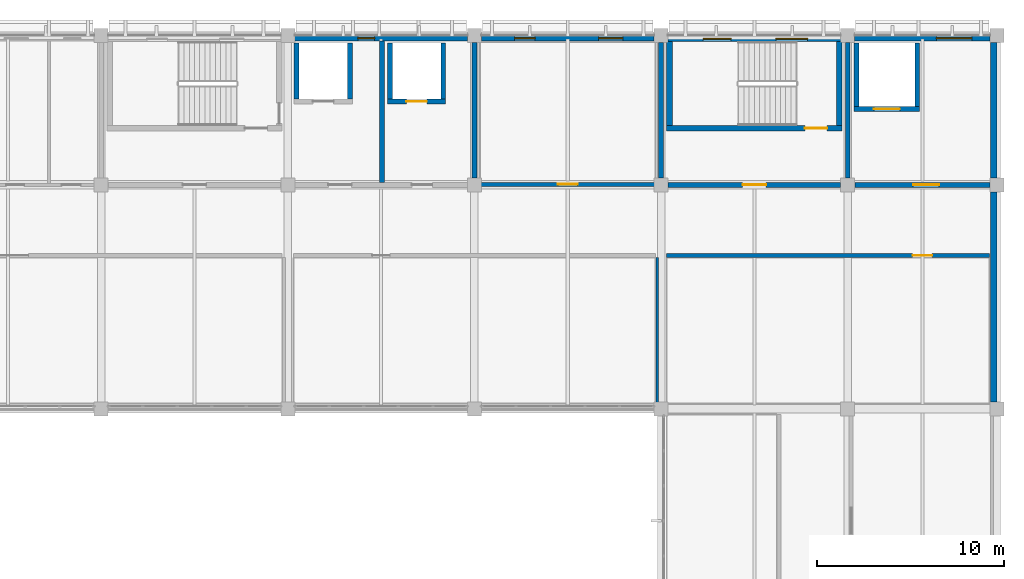
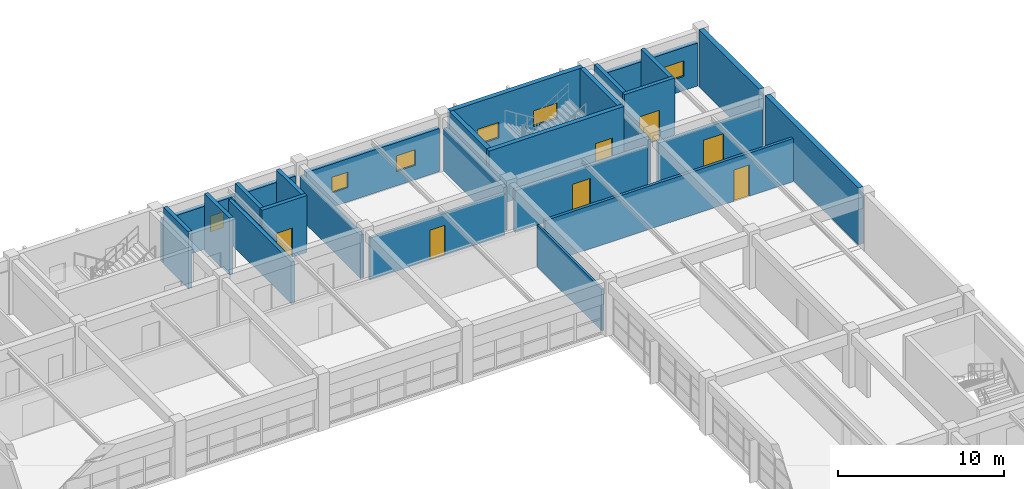
# One storey, part 73 of 83: 26 walls, 7 doors, 6 windows, 13 openings.
"""IFC4 building model written with IfcOpenShell, lengths in metres."""

from ifc_helpers import new_model, si_unit, direction, frame, frame_2d, origin, place, context, subcontext, project, spatial, rectangle, extrude, material, layer, layer_set, type_object, element, fill, save


model = new_model("IFC4")

# Units and contexts
model_context = context("Model", 3, precision=1e-05, world=origin(), true_north=direction((0.0, 1.0)))
body_context = subcontext(model_context, "Body", "Model", "MODEL_VIEW")
ifc_project = project(units=[si_unit("LENGTHUNIT", "METRE"), si_unit("AREAUNIT", "SQUARE_METRE"), si_unit("VOLUMEUNIT", "CUBIC_METRE"), si_unit("PLANEANGLEUNIT", "RADIAN"), si_unit("MASSUNIT", "GRAM", prefix="KILO")], contexts=[model_context])

# Site, building, storey
site_placement = place(None, origin())
site = spatial("IfcSite", under=ifc_project, at=site_placement, CompositionType="ELEMENT")
building_placement = place(site_placement, origin())
building = spatial("IfcBuilding", under=site, at=building_placement, Name="Kivolera Central Railway Station", CompositionType="ELEMENT")
storey_placement = place(building_placement, frame((0.0, 0.0, 14.39990234375)))
storey = spatial("IfcBuildingStorey", under=building, at=storey_placement, Name="L03", CompositionType="ELEMENT", Elevation=14.39990234375)

# Wall, opening, door
ifc_material_1 = material(Name="Swahili coral limestone", Category="masonry")
ifc_layer_1 = layer(ifc_material_1, 0.199951171875, Name="Swahili coral limestone")
ifc_layer_set_1 = layer_set([ifc_layer_1], Name="Swahili coral limestone")
wall_type_1 = type_object("IfcWallType", Name="WL-COR-200", PredefinedType="PARTITIONING", material=ifc_layer_set_1)
wall_1_placement = place(storey_placement, frame((168.300048828125, 126.030029296875, 0.0), z_axis=(0.0, 0.0, 1.0), x_axis=(1.0, 0.0, 0.0)))
wall_1 = element("IfcWall", 1, at=wall_1_placement, inside=storey, type_object=wall_type_1, Name="L03 Railway Directorate Boardroom Office Corridor Wall", PredefinedType="PARTITIONING", context=body_context, shape_type="SweptSolid", body=[
    extrude(rectangle(XDim=9.39990234375, YDim=0.199951171875, at=frame_2d((4.699951171875, 0.0))), origin(), (0.0, 0.0, 1.0), 3.078125),
])
opening_1_placement = place(wall_1_placement, frame((4.175048828125, 0.0, 0.0)))
opening_1 = element("IfcOpeningElement", 2, at=opening_1_placement, cuts=wall_1, Name="Opening D-SG-10", PredefinedType="OPENING", context=body_context, shape_type="SweptSolid", body=[
    extrude(rectangle(XDim=1.050048828125, YDim=2.199951171875, at=frame_2d((0.52490234375, 1.10009765625))), frame((0.0, 0.10986328125, 0.0), z_axis=(0.0, -1.0, 0.0), x_axis=(1.0, 0.0, 0.0)), (0.0, 0.0, 1.0), 0.219970703125),
])
ifc_material_2 = material(Name="Hardwood mvule timber", Category="wood")
door_type_1 = type_object("IfcDoorType", Name="DR-D-SG-10", OperationType="NOTDEFINED", PredefinedType="DOOR", material=ifc_material_2)
door_1_placement = place(opening_1_placement, origin())
door_1 = element("IfcDoor", 3, at=door_1_placement, inside=storey, type_object=door_type_1, Name="L03 Railway Directorate Boardroom Office Door", OperationType="SINGLE_SWING_LEFT", OverallHeight=2.199951171875, OverallWidth=1.050048828125, PredefinedType="DOOR", context=body_context, shape_type="SweptSolid", body=[
    extrude(rectangle(XDim=1.050048828125, YDim=2.199951171875, at=frame_2d((0.52490234375, 1.10009765625))), frame((0.0, 0.02490234375, 0.0), z_axis=(0.0, -1.0, 0.0), x_axis=(1.0, 0.0, 0.0)), (0.0, 0.0, 1.0), 0.050048828125),
])
fill(opening_1, door_1)

wall_2_placement = place(storey_placement, frame((178.300048828125, 122.219970703125, 0.0), z_axis=(0.0, 0.0, 1.0), x_axis=(1.0, 0.0, 0.0)))
wall_2 = element("IfcWall", 4, at=wall_2_placement, inside=storey, type_object=wall_type_1, Name="L03 Finance and Procurement Office Corridor Wall", PredefinedType="PARTITIONING", context=body_context, shape_type="SweptSolid", body=[
    extrude(rectangle(XDim=17.300048828125, YDim=0.199951171875, at=frame_2d((8.64990234375, 0.0))), origin(), (0.0, 0.0, 1.0), 3.177978515625),
])
opening_2_placement = place(wall_2_placement, frame((13.175048828125, 0.0, 0.0)))
opening_2 = element("IfcOpeningElement", 5, at=opening_2_placement, cuts=wall_2, Name="Opening D-SG-14", PredefinedType="OPENING", context=body_context, shape_type="SweptSolid", body=[
    extrude(rectangle(XDim=1.050048828125, YDim=2.300048828125, at=frame_2d((0.52490234375, 1.14990234375))), frame((0.0, 0.10986328125, 0.0), z_axis=(0.0, -1.0, 0.0), x_axis=(1.0, 0.0, 0.0)), (0.0, 0.0, 1.0), 0.219970703125),
])
door_type_2 = type_object("IfcDoorType", Name="DR-D-SG-14", OperationType="NOTDEFINED", PredefinedType="DOOR", material=ifc_material_2)
door_2_placement = place(opening_2_placement, origin())
door_2 = element("IfcDoor", 6, at=door_2_placement, inside=storey, type_object=door_type_2, Name="L03 Finance and Procurement Office Door", OperationType="SINGLE_SWING_LEFT", OverallHeight=2.300048828125, OverallWidth=1.050048828125, PredefinedType="DOOR", context=body_context, shape_type="SweptSolid", body=[
    extrude(rectangle(XDim=1.050048828125, YDim=2.300048828125, at=frame_2d((0.52490234375, 1.14990234375))), frame((0.0, 0.02490234375, 0.0), z_axis=(0.0, -1.0, 0.0), x_axis=(1.0, 0.0, 0.0)), (0.0, 0.0, 1.0), 0.050048828125),
])
fill(opening_2, door_2)

ifc_material_3 = material(Name="Concrete C40/50", Category="concrete")
ifc_layer_2 = layer(ifc_material_3, 0.300048828125, Name="Concrete C40/50")
ifc_layer_set_2 = layer_set([ifc_layer_2], Name="Concrete C40/50")
wall_type_2 = type_object("IfcWallType", Name="WL-CORE-300", PredefinedType="SHEAR", material=ifc_layer_set_2)
wall_3_placement = place(storey_placement, frame((187.699951171875, 129.030029296875, 0.0), z_axis=(0.0, 0.0, 1.0), x_axis=(-1.0, 0.0, 0.0)))
wall_3 = element("IfcWall", 7, at=wall_3_placement, inside=storey, type_object=wall_type_2, Name="L03 ST3 Core Right Shear Wall", PredefinedType="SHEAR", context=body_context, shape_type="SweptSolid", body=[
    extrude(rectangle(XDim=9.39990234375, YDim=0.300048828125, at=frame_2d((4.699951171875, 0.0))), origin(), (0.0, 0.0, 1.0), 4.2001953125),
])
opening_3_placement = place(wall_3_placement, frame((0.800048828125, 0.0, 0.0)))
opening_3 = element("IfcOpeningElement", 8, at=opening_3_placement, cuts=wall_3, Name="Opening D-STAIR-1200", PredefinedType="OPENING", context=body_context, shape_type="SweptSolid", body=[
    extrude(rectangle(XDim=1.199951171875, YDim=2.14990234375, at=frame_2d((0.60009765625, 1.074951171875))), frame((0.0, 0.159912109375, 0.0), z_axis=(0.0, -1.0, 0.0), x_axis=(1.0, 0.0, 0.0)), (0.0, 0.0, 1.0), 0.320068359375),
])
door_type_3 = type_object("IfcDoorType", Name="DR-D-STAIR-1200", OperationType="NOTDEFINED", PredefinedType="DOOR", material=ifc_material_2)
door_3_placement = place(opening_3_placement, origin())
door_3 = element("IfcDoor", 9, at=door_3_placement, inside=storey, type_object=door_type_3, Name="L03 ST3 Vestibule Fire Door", OperationType="SINGLE_SWING_RIGHT", OverallHeight=2.14990234375, OverallWidth=1.199951171875, PredefinedType="DOOR", context=body_context, shape_type="SweptSolid", body=[
    extrude(rectangle(XDim=1.199951171875, YDim=2.14990234375, at=frame_2d((0.60009765625, 1.074951171875))), frame((0.0, 0.02490234375, 0.0), z_axis=(0.0, -1.0, 0.0), x_axis=(1.0, 0.0, 0.0)), (0.0, 0.0, 1.0), 0.050048828125),
])
fill(opening_3, door_3)

# Walls
for number, where, z_axis, x_axis, name in (
    (10, (187.550048828125, 133.679931640625, 0.0), (0.0, 0.0, 1.0), (0.0, -1.0, 0.0), "L03 ST3 Core Near Shear Wall"),
    (11, (178.449951171875, 129.179931640625, 0.0), (0.0, 0.0, 1.0), (0.0, 1.0, 0.0), "L03 ST3 Core Far Shear Wall"),
):
    element("IfcWall", number, at=place(storey_placement, frame(where, z_axis=z_axis, x_axis=x_axis)), inside=storey, type_object=wall_type_2, Name=name, PredefinedType="SHEAR", context=body_context, shape_type="SweptSolid", body=[
        extrude(rectangle(XDim=4.5, YDim=0.300048828125, at=frame_2d((2.25, 0.0))), origin(), (0.0, 0.0, 1.0), 4.2001953125),
    ])

# Wall, openings, windows
ifc_layer_3 = layer(ifc_material_3, 0.320068359375, Name="Concrete C40/50")
ifc_layer_set_3 = layer_set([ifc_layer_3], Name="Concrete C40/50")
wall_type_3 = type_object("IfcWallType", Name="WL-CORE-EXT-320", PredefinedType="SHEAR", material=ifc_layer_set_3)
wall_4_placement = place(storey_placement, frame((178.3701171875, 133.840087890625, 0.0), z_axis=(0.0, 0.0, 1.0), x_axis=(1.0, 0.0, 0.0)))
wall_4 = element("IfcWall", 12, at=wall_4_placement, inside=storey, type_object=wall_type_3, Name="L03 North Street Facade Wall Bay 7", PredefinedType="SHEAR", context=body_context, shape_type="SweptSolid", body=[
    extrude(rectangle(XDim=9.259765625, YDim=0.320068359375, at=frame_2d((4.6298828125, 0.0))), origin(), (0.0, 0.0, 1.0), 4.2001953125),
])
opening_4_placement = place(wall_4_placement, frame((1.8798828125, 0.0, 1.050048828125)))
opening_4 = element("IfcOpeningElement", 13, at=opening_4_placement, cuts=wall_4, Name="Opening WN-04", PredefinedType="OPENING", context=body_context, shape_type="SweptSolid", body=[
    extrude(rectangle(XDim=1.5, YDim=1.14990234375, at=frame_2d((0.75, 0.574951171875))), frame((0.0, 0.169921875, 0.0), z_axis=(0.0, -1.0, 0.0), x_axis=(1.0, 0.0, 0.0)), (0.0, 0.0, 1.0), 0.340087890625),
])
opening_5_placement = place(wall_4_placement, frame((5.780029296875, 0.0, 1.050048828125)))
opening_5 = element("IfcOpeningElement", 14, at=opening_5_placement, cuts=wall_4, Name="Opening WN-05", PredefinedType="OPENING", context=body_context, shape_type="SweptSolid", body=[
    extrude(rectangle(XDim=1.699951171875, YDim=1.14990234375, at=frame_2d((0.85009765625, 0.574951171875))), frame((0.0, 0.169921875, 0.0), z_axis=(0.0, -1.0, 0.0), x_axis=(1.0, 0.0, 0.0)), (0.0, 0.0, 1.0), 0.340087890625),
])
ifc_material_4 = material(Name="Double low-E laminated glass", Category="glass")
window_type_1 = type_object("IfcWindowType", Name="WIN-WN-04", PartitioningType="SINGLE_PANEL", PredefinedType="WINDOW", material=ifc_material_4)
window_1_placement = place(opening_4_placement, origin())
window_1 = element("IfcWindow", 15, at=window_1_placement, inside=storey, type_object=window_type_1, Name="L03 North Street Window Bay 7.1", OverallHeight=1.14990234375, OverallWidth=1.5, PartitioningType="SINGLE_PANEL", PredefinedType="WINDOW", context=body_context, shape_type="SweptSolid", body=[
    extrude(rectangle(XDim=1.5, YDim=1.14990234375, at=frame_2d((0.75, 0.574951171875))), frame((0.0, 0.030029296875, 0.0), z_axis=(0.0, -1.0, 0.0), x_axis=(1.0, 0.0, 0.0)), (0.0, 0.0, 1.0), 0.06005859375),
])
fill(opening_4, window_1)
window_type_2 = type_object("IfcWindowType", Name="WIN-WN-05", PartitioningType="SINGLE_PANEL", PredefinedType="WINDOW", material=ifc_material_4)
window_2_placement = place(opening_5_placement, origin())
window_2 = element("IfcWindow", 16, at=window_2_placement, inside=storey, type_object=window_type_2, Name="L03 North Street Window Bay 7.2", OverallHeight=1.14990234375, OverallWidth=1.699951171875, PartitioningType="SINGLE_PANEL", PredefinedType="WINDOW", context=body_context, shape_type="SweptSolid", body=[
    extrude(rectangle(XDim=1.699951171875, YDim=1.14990234375, at=frame_2d((0.85009765625, 0.574951171875))), frame((0.0, 0.030029296875, 0.0), z_axis=(0.0, -1.0, 0.0), x_axis=(1.0, 0.0, 0.0)), (0.0, 0.0, 1.0), 0.06005859375),
])
fill(opening_5, window_2)

# Wall, opening, window
ifc_layer_4 = layer(ifc_material_1, 0.2900390625, Name="Swahili coral limestone")
ifc_layer_set_4 = layer_set([ifc_layer_4], Name="Swahili coral limestone")
wall_type_4 = type_object("IfcWallType", Name="WL-EXT-CORAL-290", PredefinedType="SOLIDWALL", material=ifc_layer_set_4)
wall_5_placement = place(storey_placement, frame((158.3701171875, 133.85498046875, 0.0), z_axis=(0.0, 0.0, 1.0), x_axis=(1.0, 0.0, 0.0)))
wall_5 = element("IfcWall", 17, at=wall_5_placement, inside=storey, type_object=wall_type_4, Name="L03 North Street Facade Wall Bay 5", PredefinedType="SOLIDWALL", context=body_context, shape_type="SweptSolid", body=[
    extrude(rectangle(XDim=9.259765625, YDim=0.2900390625, at=frame_2d((4.6298828125, 0.0))), origin(), (0.0, 0.0, 1.0), 3.177978515625),
])
opening_6_placement = place(wall_5_placement, frame((3.3798828125, 0.0, 1.050048828125)))
opening_6 = element("IfcOpeningElement", 18, at=opening_6_placement, cuts=wall_5, Name="Opening WN-01", PredefinedType="OPENING", context=body_context, shape_type="SweptSolid", body=[
    extrude(rectangle(XDim=0.89990234375, YDim=1.14990234375, at=frame_2d((0.449951171875, 0.574951171875))), frame((0.0, 0.155029296875, 0.0), z_axis=(0.0, -1.0, 0.0), x_axis=(1.0, 0.0, 0.0)), (0.0, 0.0, 1.0), 0.31005859375),
])
window_type_3 = type_object("IfcWindowType", Name="WIN-WN-01", PartitioningType="SINGLE_PANEL", PredefinedType="WINDOW", material=ifc_material_4)
window_3_placement = place(opening_6_placement, origin())
window_3 = element("IfcWindow", 19, at=window_3_placement, inside=storey, type_object=window_type_3, Name="L03 North Street Window Bay 5.1", OverallHeight=1.14990234375, OverallWidth=0.89990234375, PartitioningType="SINGLE_PANEL", PredefinedType="WINDOW", context=body_context, shape_type="SweptSolid", body=[
    extrude(rectangle(XDim=0.89990234375, YDim=1.14990234375, at=frame_2d((0.449951171875, 0.574951171875))), frame((0.0, 0.030029296875, 0.0), z_axis=(0.0, -1.0, 0.0), x_axis=(1.0, 0.0, 0.0)), (0.0, 0.0, 1.0), 0.06005859375),
])
fill(opening_6, window_3)

# Wall, openings, windows
wall_6_placement = place(storey_placement, frame((168.3701171875, 133.85498046875, 0.0), z_axis=(0.0, 0.0, 1.0), x_axis=(1.0, 0.0, 0.0)))
wall_6 = element("IfcWall", 20, at=wall_6_placement, inside=storey, type_object=wall_type_4, Name="L03 North Street Facade Wall Bay 6", PredefinedType="SOLIDWALL", context=body_context, shape_type="SweptSolid", body=[
    extrude(rectangle(XDim=9.259765625, YDim=0.2900390625, at=frame_2d((4.6298828125, 0.0))), origin(), (0.0, 0.0, 1.0), 3.177978515625),
])
opening_7_placement = place(wall_6_placement, frame((1.780029296875, 0.0, 1.050048828125)))
opening_7 = element("IfcOpeningElement", 21, at=opening_7_placement, cuts=wall_6, Name="Opening WN-02", PredefinedType="OPENING", context=body_context, shape_type="SweptSolid", body=[
    extrude(rectangle(XDim=1.10009765625, YDim=1.14990234375, at=frame_2d((0.550048828125, 0.574951171875))), frame((0.0, 0.155029296875, 0.0), z_axis=(0.0, -1.0, 0.0), x_axis=(1.0, 0.0, 0.0)), (0.0, 0.0, 1.0), 0.31005859375),
])
opening_8_placement = place(wall_6_placement, frame((6.280029296875, 0.0, 1.050048828125)))
opening_8 = element("IfcOpeningElement", 22, at=opening_8_placement, cuts=wall_6, Name="Opening WN-03", PredefinedType="OPENING", context=body_context, shape_type="SweptSolid", body=[
    extrude(rectangle(XDim=1.300048828125, YDim=1.14990234375, at=frame_2d((0.64990234375, 0.574951171875))), frame((0.0, 0.155029296875, 0.0), z_axis=(0.0, -1.0, 0.0), x_axis=(1.0, 0.0, 0.0)), (0.0, 0.0, 1.0), 0.31005859375),
])
window_type_4 = type_object("IfcWindowType", Name="WIN-WN-02", PartitioningType="SINGLE_PANEL", PredefinedType="WINDOW", material=ifc_material_4)
window_4_placement = place(opening_7_placement, origin())
window_4 = element("IfcWindow", 23, at=window_4_placement, inside=storey, type_object=window_type_4, Name="L03 North Street Window Bay 6.1", OverallHeight=1.14990234375, OverallWidth=1.10009765625, PartitioningType="SINGLE_PANEL", PredefinedType="WINDOW", context=body_context, shape_type="SweptSolid", body=[
    extrude(rectangle(XDim=1.10009765625, YDim=1.14990234375, at=frame_2d((0.550048828125, 0.574951171875))), frame((0.0, 0.030029296875, 0.0), z_axis=(0.0, -1.0, 0.0), x_axis=(1.0, 0.0, 0.0)), (0.0, 0.0, 1.0), 0.06005859375),
])
fill(opening_7, window_4)
window_type_5 = type_object("IfcWindowType", Name="WIN-WN-03", PartitioningType="SINGLE_PANEL", PredefinedType="WINDOW", material=ifc_material_4)
window_5_placement = place(opening_8_placement, origin())
window_5 = element("IfcWindow", 24, at=window_5_placement, inside=storey, type_object=window_type_5, Name="L03 North Street Window Bay 6.2", OverallHeight=1.14990234375, OverallWidth=1.300048828125, PartitioningType="SINGLE_PANEL", PredefinedType="WINDOW", context=body_context, shape_type="SweptSolid", body=[
    extrude(rectangle(XDim=1.300048828125, YDim=1.14990234375, at=frame_2d((0.64990234375, 0.574951171875))), frame((0.0, 0.030029296875, 0.0), z_axis=(0.0, -1.0, 0.0), x_axis=(1.0, 0.0, 0.0)), (0.0, 0.0, 1.0), 0.06005859375),
])
fill(opening_8, window_5)

# Wall, opening, window
wall_7_placement = place(storey_placement, frame((188.3701171875, 133.85498046875, 0.0), z_axis=(0.0, 0.0, 1.0), x_axis=(1.0, 0.0, 0.0)))
wall_7 = element("IfcWall", 25, at=wall_7_placement, inside=storey, type_object=wall_type_4, Name="L03 North Street Facade Wall Bay 8", PredefinedType="SOLIDWALL", context=body_context, shape_type="SweptSolid", body=[
    extrude(rectangle(XDim=7.259765625, YDim=0.2900390625, at=frame_2d((3.6298828125, 0.0))), origin(), (0.0, 0.0, 1.0), 3.177978515625),
])
opening_9_placement = place(wall_7_placement, frame((4.3798828125, 0.0, 1.050048828125)))
opening_9 = element("IfcOpeningElement", 26, at=opening_9_placement, cuts=wall_7, Name="Opening WN-06", PredefinedType="OPENING", context=body_context, shape_type="SweptSolid", body=[
    extrude(rectangle(XDim=1.89990234375, YDim=1.14990234375, at=frame_2d((0.949951171875, 0.574951171875))), frame((0.0, 0.155029296875, 0.0), z_axis=(0.0, -1.0, 0.0), x_axis=(1.0, 0.0, 0.0)), (0.0, 0.0, 1.0), 0.31005859375),
])
window_type_6 = type_object("IfcWindowType", Name="WIN-WN-06", PartitioningType="SINGLE_PANEL", PredefinedType="WINDOW", material=ifc_material_4)
window_6_placement = place(opening_9_placement, origin())
window_6 = element("IfcWindow", 27, at=window_6_placement, inside=storey, type_object=window_type_6, Name="L03 North Street Window Bay 8.1", OverallHeight=1.14990234375, OverallWidth=1.89990234375, PartitioningType="SINGLE_PANEL", PredefinedType="WINDOW", context=body_context, shape_type="SweptSolid", body=[
    extrude(rectangle(XDim=1.89990234375, YDim=1.14990234375, at=frame_2d((0.949951171875, 0.574951171875))), frame((0.0, 0.030029296875, 0.0), z_axis=(0.0, -1.0, 0.0), x_axis=(1.0, 0.0, 0.0)), (0.0, 0.0, 1.0), 0.06005859375),
])
fill(opening_9, window_6)

# Wall, opening, door
ifc_layer_5 = layer(ifc_material_3, 0.25, Name="Concrete C40/50")
ifc_layer_set_5 = layer_set([ifc_layer_5], Name="Concrete C40/50")
wall_type_5 = type_object("IfcWallType", Name="WL-FFL-250", PredefinedType="PARTITIONING", material=ifc_layer_set_5)
wall_8_placement = place(storey_placement, frame((178.3798828125, 126.0, 0.0), z_axis=(0.0, 0.0, 1.0), x_axis=(1.0, 0.0, 0.0)))
wall_8 = element("IfcWall", 28, at=wall_8_placement, inside=storey, type_object=wall_type_5, Name="L03 North Core Corridor Wall 178", PredefinedType="PARTITIONING", context=body_context, shape_type="SweptSolid", body=[
    extrude(rectangle(XDim=9.240234375, YDim=0.25, at=frame_2d((4.6201171875, 0.0))), origin(), (0.0, 0.0, 1.0), 3.078125),
])
opening_10_placement = place(wall_8_placement, frame((3.9951171875, 0.0, 0.0)))
opening_10 = element("IfcOpeningElement", 29, at=opening_10_placement, cuts=wall_8, Name="Opening D-FFL-1250", PredefinedType="OPENING", context=body_context, shape_type="SweptSolid", body=[
    extrude(rectangle(XDim=1.25, YDim=2.14990234375, at=frame_2d((0.625, 1.074951171875))), frame((0.0, 0.135009765625, 0.0), z_axis=(0.0, -1.0, 0.0), x_axis=(1.0, 0.0, 0.0)), (0.0, 0.0, 1.0), 0.27001953125),
])
door_type_4 = type_object("IfcDoorType", Name="DR-D-FFL-1250", OperationType="NOTDEFINED", PredefinedType="DOOR", material=ifc_material_2)
door_4_placement = place(opening_10_placement, origin())
door_4 = element("IfcDoor", 30, at=door_4_placement, inside=storey, type_object=door_type_4, Name="L03 ST3 Vestibule Corridor Door", OperationType="SINGLE_SWING_LEFT", OverallHeight=2.14990234375, OverallWidth=1.25, PredefinedType="DOOR", context=body_context, shape_type="SweptSolid", body=[
    extrude(rectangle(XDim=1.25, YDim=2.14990234375, at=frame_2d((0.625, 1.074951171875))), frame((0.0, 0.02490234375, 0.0), z_axis=(0.0, -1.0, 0.0), x_axis=(1.0, 0.0, 0.0)), (0.0, 0.0, 1.0), 0.050048828125),
])
fill(opening_10, door_4)

wall_9_placement = place(storey_placement, frame((188.3798828125, 126.0, 0.0), z_axis=(0.0, 0.0, 1.0), x_axis=(1.0, 0.0, 0.0)))
wall_9 = element("IfcWall", 31, at=wall_9_placement, inside=storey, type_object=wall_type_5, Name="L03 North Core Corridor Wall 188", PredefinedType="PARTITIONING", context=body_context, shape_type="SweptSolid", body=[
    extrude(rectangle(XDim=7.240234375, YDim=0.25, at=frame_2d((3.6201171875, 0.0))), origin(), (0.0, 0.0, 1.0), 3.078125),
])
opening_11_placement = place(wall_9_placement, frame((3.1201171875, 0.0, 0.0)))
opening_11 = element("IfcOpeningElement", 32, at=opening_11_placement, cuts=wall_9, Name="Opening D-PLT-1400", PredefinedType="OPENING", context=body_context, shape_type="SweptSolid", body=[
    extrude(rectangle(XDim=1.39990234375, YDim=2.199951171875, at=frame_2d((0.699951171875, 1.10009765625))), frame((0.0, 0.135009765625, 0.0), z_axis=(0.0, -1.0, 0.0), x_axis=(1.0, 0.0, 0.0)), (0.0, 0.0, 1.0), 0.27001953125),
])
ifc_material_5 = material(Name="Anodised aluminium", Category="aluminium")
door_type_5 = type_object("IfcDoorType", Name="DR-D-PLT-1400", OperationType="NOTDEFINED", PredefinedType="DOOR", material=ifc_material_5)
door_5_placement = place(opening_11_placement, origin())
door_5 = element("IfcDoor", 33, at=door_5_placement, inside=storey, type_object=door_type_5, Name="L03 GL1 Goods Lift Lobby Door", OperationType="SINGLE_SWING_RIGHT", OverallHeight=2.199951171875, OverallWidth=1.39990234375, PredefinedType="DOOR", context=body_context, shape_type="SweptSolid", body=[
    extrude(rectangle(XDim=1.39990234375, YDim=2.199951171875, at=frame_2d((0.699951171875, 1.10009765625))), frame((0.0, 0.02490234375, 0.0), z_axis=(0.0, -1.0, 0.0), x_axis=(1.0, 0.0, 0.0)), (0.0, 0.0, 1.0), 0.050048828125),
])
fill(opening_11, door_5)

# Walls
wall_10_placement = place(storey_placement, frame((163.050048828125, 126.125, 0.0), z_axis=(0.0, 0.0, 1.0), x_axis=(0.0, 1.0, 0.0)))
element("IfcWall", 34, at=wall_10_placement, inside=storey, type_object=wall_type_5, Name="L03 North Core Partition FFL2-DIV", PredefinedType="PARTITIONING", context=body_context, shape_type="SweptSolid", body=[
    extrude(rectangle(XDim=7.5849609375, YDim=0.25, at=frame_2d((3.79248046875, 0.0))), origin(), (0.0, 0.0, 1.0), 3.078125),
])
for number, where, z_axis, x_axis, name in (
    (35, (168.0, 126.3798828125, 0.0), (0.0, 0.0, 1.0), (0.0, 1.0, 0.0), "L03 North Core Partition GRID-168"),
    (36, (178.0, 126.3798828125, 0.0), (0.0, 0.0, 1.0), (0.0, 1.0, 0.0), "L03 North Core Partition GRID-178"),
    (37, (188.0, 126.3798828125, 0.0), (0.0, 0.0, 1.0), (0.0, 1.0, 0.0), "L03 North Core Partition GRID-188"),
):
    element("IfcWall", number, at=place(storey_placement, frame(where, z_axis=z_axis, x_axis=x_axis)), inside=storey, type_object=wall_type_5, Name=name, PredefinedType="PARTITIONING", context=body_context, shape_type="SweptSolid", body=[
        extrude(rectangle(XDim=7.240234375, YDim=0.25, at=frame_2d((3.6201171875, 0.0))), origin(), (0.0, 0.0, 1.0), 3.177978515625),
    ])
ifc_layer_6 = layer(ifc_material_3, 0.35009765625, Name="Concrete C40/50")
ifc_layer_set_6 = layer_set([ifc_layer_6], Name="Concrete C40/50")
wall_type_6 = type_object("IfcWallType", Name="WL-PARTY-350", PredefinedType="SOLIDWALL", material=ifc_layer_set_6)
wall_11_placement = place(storey_placement, frame((195.824951171875, 125.6298828125, 0.0), z_axis=(0.0, 0.0, 1.0), x_axis=(0.0, -1.0, 0.0)))
element("IfcWall", 38, at=wall_11_placement, inside=storey, type_object=wall_type_6, Name="L03 East Infill EI 120 Party Wall 114-126", PredefinedType="SOLIDWALL", context=body_context, shape_type="SweptSolid", body=[
    extrude(rectangle(XDim=11.259765625, YDim=0.35009765625, at=frame_2d((5.6298828125, 0.0))), origin(), (0.0, 0.0, 1.0), 4.2001953125),
])
wall_12_placement = place(storey_placement, frame((195.824951171875, 133.6298828125, 0.0), z_axis=(0.0, 0.0, 1.0), x_axis=(0.0, -1.0, 0.0)))
element("IfcWall", 39, at=wall_12_placement, inside=storey, type_object=wall_type_6, Name="L03 East Infill EI 120 Party Wall 126-134", PredefinedType="SOLIDWALL", context=body_context, shape_type="SweptSolid", body=[
    extrude(rectangle(XDim=7.259765625, YDim=0.35009765625, at=frame_2d((3.6298828125, 0.0))), origin(), (0.0, 0.0, 1.0), 4.2001953125),
])
ifc_material_6 = material(Name="Gypsum plasterboard steel-stud partition")
ifc_layer_7 = layer(ifc_material_6, 0.14990234375, Name="Gypsum plasterboard steel-stud partition")
ifc_layer_set_7 = layer_set([ifc_layer_7], Name="Gypsum plasterboard steel-stud partition")
wall_type_7 = type_object("IfcWallType", Name="WL-PRT-150", PredefinedType="PARTITIONING", material=ifc_layer_set_7)
wall_13_placement = place(storey_placement, frame((177.800048828125, 114.300048828125, 0.0), z_axis=(0.0, 0.0, 1.0), x_axis=(0.0, 1.0, 0.0)))
element("IfcWall", 40, at=wall_13_placement, inside=storey, type_object=wall_type_7, Name="L03 Station Master Administration Office Partition Wall", PredefinedType="PARTITIONING", context=body_context, shape_type="SweptSolid", body=[
    extrude(rectangle(XDim=7.800048828125, YDim=0.14990234375, at=frame_2d((3.89990234375, 0.0))), origin(), (0.0, 0.0, 1.0), 3.078125),
])
ifc_layer_8 = layer(ifc_material_3, 0.260009765625, Name="Concrete C40/50")
ifc_layer_set_8 = layer_set([ifc_layer_8], Name="Concrete C40/50")
wall_type_8 = type_object("IfcWallType", Name="WL-SHAFT-260", PredefinedType="SHEAR", material=ifc_layer_set_8)
for number, where, z_axis, x_axis, name in (
    (41, (158.469970703125, 130.60009765625, 0.0), (0.0, 0.0, 1.0), (0.0, 1.0, 0.0), "L03 Lift FL2 West Shaft Wall"),
    (42, (161.330078125, 130.60009765625, 0.0), (0.0, 0.0, 1.0), (0.0, 1.0, 0.0), "L03 Lift FL2 East Shaft Wall"),
):
    element("IfcWall", number, at=place(storey_placement, frame(where, z_axis=z_axis, x_axis=x_axis)), inside=storey, type_object=wall_type_8, Name=name, PredefinedType="SHEAR", context=body_context, shape_type="SweptSolid", body=[
        extrude(rectangle(XDim=3.0, YDim=0.260009765625, at=frame_2d((1.5, 0.0))), origin(), (0.0, 0.0, 1.0), 4.2001953125),
    ])

# Wall, opening, door
wall_14_placement = place(storey_placement, frame((163.340087890625, 130.469970703125, 0.0), z_axis=(0.0, 0.0, 1.0), x_axis=(1.0, 0.0, 0.0)))
wall_14 = element("IfcWall", 43, at=wall_14_placement, inside=storey, type_object=wall_type_8, Name="L03 Lift PL2 Front Shaft Wall", PredefinedType="SHEAR", context=body_context, shape_type="SweptSolid", body=[
    extrude(rectangle(XDim=3.119873046875, YDim=0.260009765625, at=frame_2d((1.56005859375, 0.0))), origin(), (0.0, 0.0, 1.0), 4.2001953125),
])
opening_12_placement = place(wall_14_placement, frame((1.010009765625, 0.0, 0.0)))
opening_12 = element("IfcOpeningElement", 44, at=opening_12_placement, cuts=wall_14, Name="Opening LD-PAX-1100", PredefinedType="OPENING", context=body_context, shape_type="SweptSolid", body=[
    extrude(rectangle(XDim=1.10009765625, YDim=2.14990234375, at=frame_2d((0.550048828125, 1.074951171875))), frame((0.0, 0.139892578125, 0.0), z_axis=(0.0, -1.0, 0.0), x_axis=(1.0, 0.0, 0.0)), (0.0, 0.0, 1.0), 0.280029296875),
])
door_type_6 = type_object("IfcDoorType", Name="DR-LD-PAX-1100", OperationType="NOTDEFINED", PredefinedType="DOOR", material=ifc_material_5)
door_6_placement = place(opening_12_placement, origin())
door_6 = element("IfcDoor", 45, at=door_6_placement, inside=storey, type_object=door_type_6, Name="L03 Lift PL2 Sliding Landing Door", OperationType="SLIDING_TO_LEFT", OverallHeight=2.14990234375, OverallWidth=1.10009765625, PredefinedType="DOOR", context=body_context, shape_type="SweptSolid", body=[
    extrude(rectangle(XDim=1.10009765625, YDim=2.14990234375, at=frame_2d((0.550048828125, 1.074951171875))), frame((0.0, 0.02490234375, 0.0), z_axis=(0.0, -1.0, 0.0), x_axis=(1.0, 0.0, 0.0)), (0.0, 0.0, 1.0), 0.050048828125),
])
fill(opening_12, door_6)

# Walls
for number, where, z_axis, x_axis, name in (
    (46, (163.469970703125, 130.60009765625, 0.0), (0.0, 0.0, 1.0), (0.0, 1.0, 0.0), "L03 Lift PL2 West Shaft Wall"),
    (47, (166.330078125, 130.60009765625, 0.0), (0.0, 0.0, 1.0), (0.0, 1.0, 0.0), "L03 Lift PL2 East Shaft Wall"),
):
    element("IfcWall", number, at=place(storey_placement, frame(where, z_axis=z_axis, x_axis=x_axis)), inside=storey, type_object=wall_type_8, Name=name, PredefinedType="SHEAR", context=body_context, shape_type="SweptSolid", body=[
        extrude(rectangle(XDim=3.0, YDim=0.260009765625, at=frame_2d((1.5, 0.0))), origin(), (0.0, 0.0, 1.0), 4.2001953125),
    ])

# Wall, opening, door
wall_15_placement = place(storey_placement, frame((188.340087890625, 130.070068359375, 0.0), z_axis=(0.0, 0.0, 1.0), x_axis=(1.0, 0.0, 0.0)))
wall_15 = element("IfcWall", 48, at=wall_15_placement, inside=storey, type_object=wall_type_8, Name="L03 Lift GL1 Front Shaft Wall", PredefinedType="SHEAR", context=body_context, shape_type="SweptSolid", body=[
    extrude(rectangle(XDim=3.52001953125, YDim=0.260009765625, at=frame_2d((1.760009765625, 0.0))), origin(), (0.0, 0.0, 1.0), 4.2001953125),
])
opening_13_placement = place(wall_15_placement, frame((1.06005859375, 0.0, 0.0)))
opening_13 = element("IfcOpeningElement", 49, at=opening_13_placement, cuts=wall_15, Name="Opening LD-GDS-1400", PredefinedType="OPENING", context=body_context, shape_type="SweptSolid", body=[
    extrude(rectangle(XDim=1.39990234375, YDim=2.199951171875, at=frame_2d((0.699951171875, 1.10009765625))), frame((0.0, 0.139892578125, 0.0), z_axis=(0.0, -1.0, 0.0), x_axis=(1.0, 0.0, 0.0)), (0.0, 0.0, 1.0), 0.280029296875),
])
door_type_7 = type_object("IfcDoorType", Name="DR-LD-GDS-1400", OperationType="NOTDEFINED", PredefinedType="DOOR", material=ifc_material_5)
door_7_placement = place(opening_13_placement, origin())
door_7 = element("IfcDoor", 50, at=door_7_placement, inside=storey, type_object=door_type_7, Name="L03 Lift GL1 Sliding Landing Door", OperationType="SLIDING_TO_LEFT", OverallHeight=2.199951171875, OverallWidth=1.39990234375, PredefinedType="DOOR", context=body_context, shape_type="SweptSolid", body=[
    extrude(rectangle(XDim=1.39990234375, YDim=2.199951171875, at=frame_2d((0.699951171875, 1.10009765625))), frame((0.0, 0.02490234375, 0.0), z_axis=(0.0, -1.0, 0.0), x_axis=(1.0, 0.0, 0.0)), (0.0, 0.0, 1.0), 0.050048828125),
])
fill(opening_13, door_7)

# Walls
for number, where, z_axis, x_axis, name in (
    (51, (188.469970703125, 130.199951171875, 0.0), (0.0, 0.0, 1.0), (0.0, 1.0, 0.0), "L03 Lift GL1 West Shaft Wall"),
    (52, (191.72998046875, 130.199951171875, 0.0), (0.0, 0.0, 1.0), (0.0, 1.0, 0.0), "L03 Lift GL1 East Shaft Wall"),
):
    element("IfcWall", number, at=place(storey_placement, frame(where, z_axis=z_axis, x_axis=x_axis)), inside=storey, type_object=wall_type_8, Name=name, PredefinedType="SHEAR", context=body_context, shape_type="SweptSolid", body=[
        extrude(rectangle(XDim=3.400146484375, YDim=0.260009765625, at=frame_2d((1.7001953125, 0.0))), origin(), (0.0, 0.0, 1.0), 4.2001953125),
    ])

save(model, "model.ifc")
